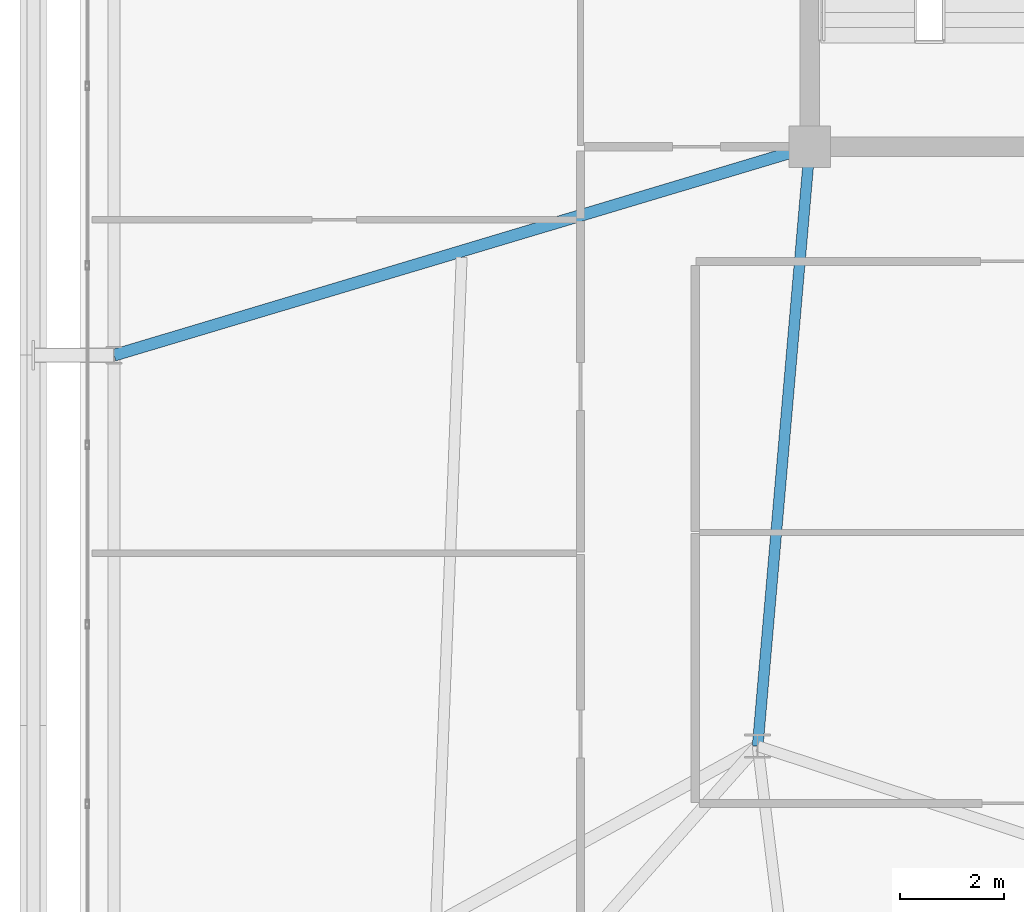
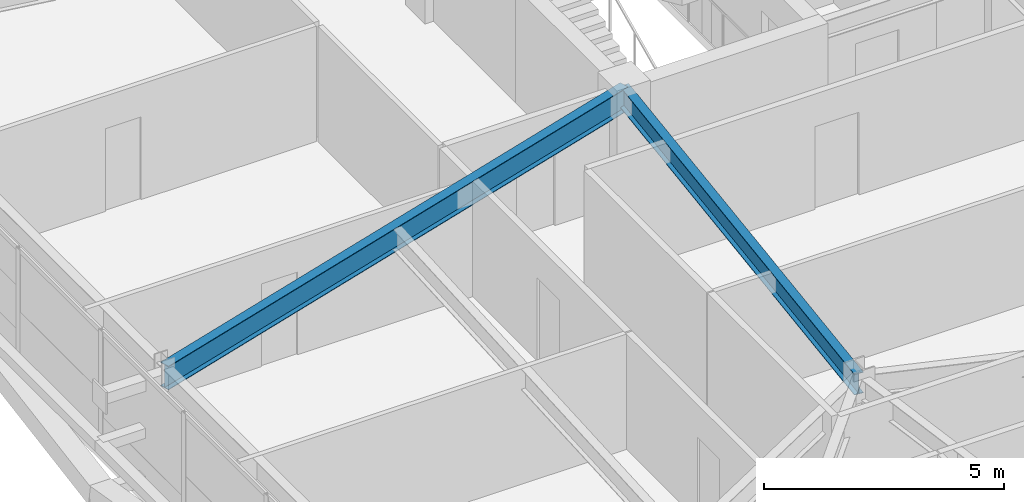
# One storey, part 15 of 59: 2 beams.
"""IFC4 building model written with IfcOpenShell, lengths in metres."""

from ifc_helpers import new_model, si_unit, direction, frame, origin, origin_2d, place, context, subcontext, project, spatial, i_section, extrude, source, transform, mapped, material, material_profile, profile_set, type_object, element, save


model = new_model("IFC4")

# Units and contexts
model_context = context("Model", 3, precision=1e-05, world=origin(), true_north=direction((0.0, 1.0)))
body_context = subcontext(model_context, "Body", "Model", "MODEL_VIEW")
ifc_project = project(units=[si_unit("LENGTHUNIT", "METRE"), si_unit("AREAUNIT", "SQUARE_METRE"), si_unit("VOLUMEUNIT", "CUBIC_METRE"), si_unit("PLANEANGLEUNIT", "RADIAN"), si_unit("MASSUNIT", "GRAM", prefix="KILO")], contexts=[model_context])

# Site, building, storey
site_placement = place(None, origin())
site = spatial("IfcSite", under=ifc_project, at=site_placement, CompositionType="ELEMENT")
building_placement = place(site_placement, origin())
building = spatial("IfcBuilding", under=site, at=building_placement, Name="Taldren Reach Tower", CompositionType="ELEMENT")
storey_placement = place(building_placement, frame((0.0, 0.0, 45.14990234375)))
storey = spatial("IfcBuildingStorey", under=building, at=storey_placement, Name="L13", CompositionType="ELEMENT", Elevation=45.14990234375)

# Beams
ifc_material = material(Name="Steel Gr 350 (350PLUS)", Category="steel")
ifc_material_profile_1 = material_profile(ifc_material, i_section(OverallWidth=0.208984375, OverallDepth=0.532958984375, WebThickness=0.01025390625, FlangeThickness=0.015625, at=origin_2d()), Name="530UB92.4")
ifc_profile_set_1 = profile_set([ifc_material_profile_1], Name="Steel Gr 350 (350PLUS)")
beam_type_1 = type_object("IfcBeamType", Name="BM-UB530A", PredefinedType="BEAM", material=ifc_profile_set_1)
shared_shape_1 = source(origin(), body_context, "Body", "SweptSolid", [
    extrude(i_section(OverallWidth=0.208984375, OverallDepth=0.532958984375, WebThickness=0.01025390625, FlangeThickness=0.015625, at=origin_2d()), origin(), (0.0, 0.0, 1.0), 11.54345703125),
])
beam_1_placement = place(storey_placement, frame((19.0, 24.0, 2.66357421875), z_axis=(-0.086629616365, -0.996240588196, 0.0), x_axis=(0.996240588196, -0.086629616365, 0.0)))
element("IfcBeam", 1, at=beam_1_placement, inside=storey, type_object=beam_type_1, Name="Core-spine girder L13-SP09", PredefinedType="BEAM", context=body_context, shape_type="MappedRepresentation", body=[
    mapped(shared_shape_1, transform((0.0, 0.0, 0.0), scale=1.0)),
])
ifc_material_profile_2 = material_profile(ifc_material, i_section(OverallWidth=0.22802734375, OverallDepth=0.60205078125, WebThickness=0.010498046875, FlangeThickness=0.014892578125, at=origin_2d()), Name="610UB101")
ifc_profile_set_2 = profile_set([ifc_material_profile_2], Name="Steel Gr 350 (350PLUS)")
beam_type_2 = type_object("IfcBeamType", Name="BM-UB610B", PredefinedType="BEAM", material=ifc_profile_set_2)
shared_shape_2 = source(origin(), body_context, "Body", "SweptSolid", [
    extrude(i_section(OverallWidth=0.22802734375, OverallDepth=0.60205078125, WebThickness=0.010498046875, FlangeThickness=0.014892578125, at=origin_2d()), origin(), (0.0, 0.0, 1.0), 13.9365234375),
])
beam_2_placement = place(storey_placement, frame((19.0, 24.0, 2.629150390625), z_axis=(-0.957925550891, -0.287016792104, 0.0), x_axis=(0.287016792104, -0.957925550891, 0.0)))
element("IfcBeam", 2, at=beam_2_placement, inside=storey, type_object=beam_type_2, Name="Primary floor girder B1-W2 L13", PredefinedType="BEAM", context=body_context, shape_type="MappedRepresentation", body=[
    mapped(shared_shape_2, transform((0.0, 0.0, 0.0), scale=1.0)),
])

save(model, "model.ifc")
